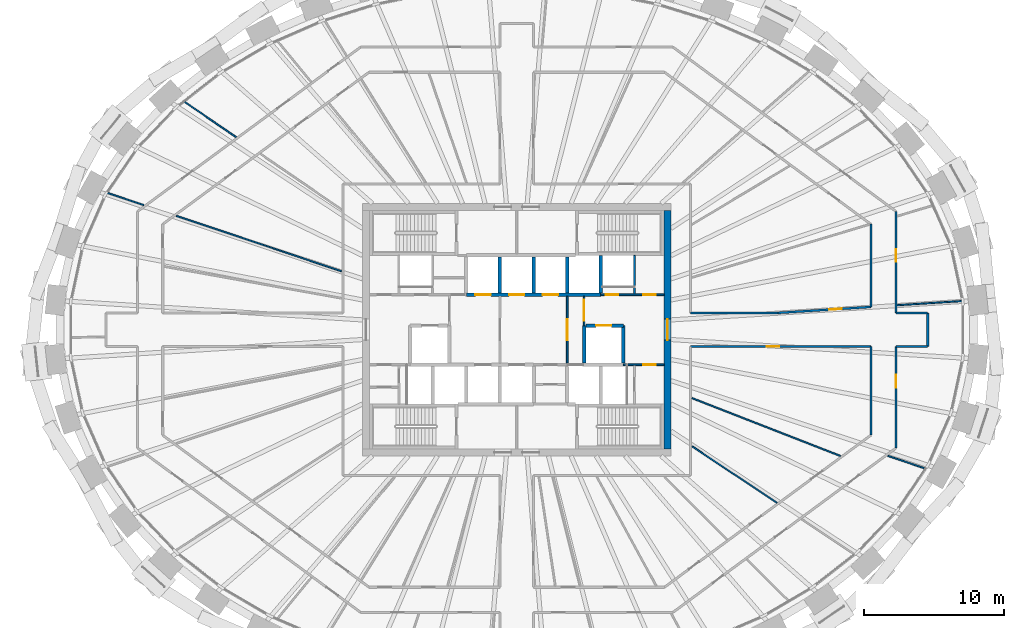
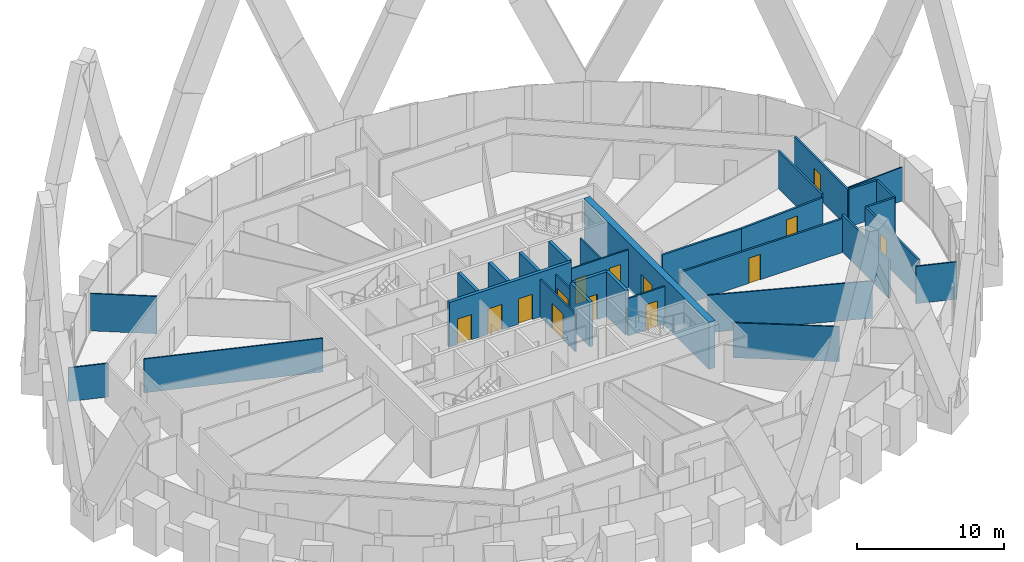
# One storey, part 10 of 14: 31 walls, 14 doors, 14 openings.
"""IFC4 building model written with IfcOpenShell, lengths in metres."""

import ifcopenshell
import ifcopenshell.guid

model = None  # the IFC model being written
_history = None  # IfcOwnerHistory: only IFC2X3 demands one
_inside = {}  # id of a spatial element -> (the spatial element, [elements in it])
_under = {}  # id of a project, library or spatial element -> (it, [spatial elements below it])
_declared = {}  # id of a project -> (the project, [libraries it declares])
_typed = {}  # id of a type object -> (the type object, [elements of that type])
_made_of = {}  # id of a material, layer set ... -> (it, [elements and type objects made of it])


def new_model(schema):
    """Start an empty IFC model of exactly this schema.

    Asked for "IFC4X3", IfcOpenShell would pick the latest addendum, in which some entities
    have other attributes; the version numbers below select the first issue.
    IFC2X3 requires an IfcOwnerHistory on every rooted entity: one is made here for all.
    """
    global model, _history
    if schema == "IFC4X3":
        model = ifcopenshell.file(schema_version=(4, 3, 0, 0))
    else:
        model = ifcopenshell.file(schema=schema)
    _inside.clear()
    _under.clear()
    _declared.clear()
    _typed.clear()
    _made_of.clear()
    _history = None
    if model.schema == "IFC2X3":
        org = make("IfcOrganization", Name="unknown")
        user = make(
            "IfcPersonAndOrganization",
            ThePerson=make("IfcPerson", FamilyName="unknown"),
            TheOrganization=org,
        )
        app = make(
            "IfcApplication",
            ApplicationDeveloper=org,
            Version="unknown",
            ApplicationFullName="unknown",
            ApplicationIdentifier="unknown",
        )
        _history = make(
            "IfcOwnerHistory",
            OwningUser=user,
            OwningApplication=app,
            ChangeAction="ADDED",
            CreationDate=0,
        )
    return model


def make(cls, **values):
    """One entity of the class cls with the attributes given. An attribute that is None is left unset."""
    return model.create_entity(
        cls, **{name: value for name, value in values.items() if value is not None}
    )


def rooted(cls, **values):
    """An entity with a GlobalId (a new one), such as an element, a storey or a relation."""
    return make(cls, GlobalId=ifcopenshell.guid.new(), OwnerHistory=_history, **values)


def si_unit(unit_type, name, prefix=None):
    """IfcSIUnit, for example si_unit("LENGTHUNIT", "METRE", prefix="MILLI")."""
    return make("IfcSIUnit", UnitType=unit_type, Prefix=prefix, Name=name)


def assignment(units):
    """IfcUnitAssignment: the units of a project."""
    return None if units is None else make("IfcUnitAssignment", Units=units)


def point(xyz):
    """IfcCartesianPoint."""
    return None if xyz is None else make("IfcCartesianPoint", Coordinates=xyz)


def direction(xyz):
    """IfcDirection."""
    return None if xyz is None else make("IfcDirection", DirectionRatios=xyz)


def frame(location, z_axis=None, x_axis=None):
    """IfcAxis2Placement3D, a coordinate frame: its origin and axes. An axis left out is left unset."""
    return make(
        "IfcAxis2Placement3D",
        Location=point(location),
        Axis=direction(z_axis),
        RefDirection=direction(x_axis),
    )


def frame_2d(location, x_axis=None):
    """IfcAxis2Placement2D, a coordinate frame in the plane: its origin and x axis."""
    return make(
        "IfcAxis2Placement2D", Location=point(location), RefDirection=direction(x_axis)
    )


def origin():
    """The frame at (0, 0, 0) with its axes left unset."""
    return frame((0.0, 0.0, 0.0))


def place(relative_to, where):
    """IfcLocalPlacement: puts the frame where relative to a parent placement (None: the world)."""
    return make(
        "IfcLocalPlacement", PlacementRelTo=relative_to, RelativePlacement=where
    )


def context(
    kind, dimensions, precision=None, world=None, true_north=None, identifier=None
):
    """IfcGeometricRepresentationContext, for example the 3D "Model" context."""
    return make(
        "IfcGeometricRepresentationContext",
        ContextIdentifier=identifier,
        ContextType=kind,
        CoordinateSpaceDimension=dimensions,
        Precision=precision,
        WorldCoordinateSystem=world,
        TrueNorth=true_north,
    )


def subcontext(parent, identifier, kind, view, scale=None):
    """IfcGeometricRepresentationSubContext, for example "Body" below "Model"."""
    return make(
        "IfcGeometricRepresentationSubContext",
        ContextIdentifier=identifier,
        ContextType=kind,
        ParentContext=parent,
        TargetScale=scale,
        TargetView=view,
    )


def project(units=None, contexts=None):
    """IfcProject with its units and contexts."""
    return rooted(
        "IfcProject",
        Name="project",
        RepresentationContexts=contexts,
        UnitsInContext=assignment(units),
    )


def spatial(cls, under=None, at=None, **own):
    """A site, building, storey or space (cls), placed at a placement, below another one or the project."""
    s = rooted(cls, ObjectPlacement=at, **own)
    if under is not None:
        _under.setdefault(under.id(), (under, []))[1].append(s)
    return s


def profile(cls, at=None, kind="AREA", **sizes):
    """A parametric profile (cls). Its sizes go by their IFC names, for example OverallWidth=200.0."""
    return make(cls, ProfileType=kind, Position=at, **sizes)


def rectangle(**sizes):
    """IfcRectangleProfileDef."""
    return profile("IfcRectangleProfileDef", **sizes)


def extrude(swept, where, along, depth):
    """IfcExtrudedAreaSolid: the profile swept, set in the frame where, extruded along a direction by depth."""
    return make(
        "IfcExtrudedAreaSolid",
        SweptArea=swept,
        Position=where,
        ExtrudedDirection=direction(along),
        Depth=depth,
    )


def shape(context_of_items, identifier, shape_type, items):
    """IfcShapeRepresentation: the items that make up one representation, for example the "Body"."""
    return make(
        "IfcShapeRepresentation",
        ContextOfItems=context_of_items,
        RepresentationIdentifier=identifier,
        RepresentationType=shape_type,
        Items=items,
    )


def source(mapping_origin, context_of_items, identifier, shape_type, items):
    """IfcRepresentationMap: a shape defined once, which mapped items show again and again."""
    return make(
        "IfcRepresentationMap",
        MappingOrigin=mapping_origin,
        MappedRepresentation=shape(context_of_items, identifier, shape_type, items),
    )


def transform(
    local_origin,
    x_axis=None,
    y_axis=None,
    z_axis=None,
    scale=None,
    scale2=None,
    scale3=None,
    uniform=True,
):
    """IfcCartesianTransformationOperator3D, or its non-uniform kind. x_axis, y_axis, z_axis: its Axis1, 2, 3."""
    if uniform:
        return make(
            "IfcCartesianTransformationOperator3D",
            Axis1=direction(x_axis),
            Axis2=direction(y_axis),
            LocalOrigin=point(local_origin),
            Scale=scale,
            Axis3=direction(z_axis),
        )
    return make(
        "IfcCartesianTransformationOperator3DnonUniform",
        Axis1=direction(x_axis),
        Axis2=direction(y_axis),
        LocalOrigin=point(local_origin),
        Scale=scale,
        Axis3=direction(z_axis),
        Scale2=scale2,
        Scale3=scale3,
    )


def mapped(mapping_source, mapping_target):
    """IfcMappedItem: shows the shape of a source again, moved by a transform."""
    return make(
        "IfcMappedItem", MappingSource=mapping_source, MappingTarget=mapping_target
    )


def material(Name=None, Category=None):
    """IfcMaterial."""
    return make("IfcMaterial", Name=Name, Category=Category)


def layer(
    of_material, thickness, ventilated=None, Name=None, Category=None, Priority=None
):
    """IfcMaterialLayer: one layer of a wall or slab, of a material (None: an air gap)."""
    return make(
        "IfcMaterialLayer",
        Material=of_material,
        LayerThickness=thickness,
        IsVentilated=ventilated,
        Name=Name,
        Category=Category,
        Priority=Priority,
    )


def layer_set(layers, Name=None):
    """IfcMaterialLayerSet."""
    return make("IfcMaterialLayerSet", MaterialLayers=layers, LayerSetName=Name)


def made_of(thing, what):
    """Note that an element or type object is made of a material, layer set ...; save() writes the relation."""
    if what is not None:
        _made_of.setdefault(what.id(), (what, []))[1].append(thing)
    return thing


def type_object(cls, material=None, **own):
    """A type object (cls), such as IfcWallType, which elements share."""
    return made_of(rooted(cls, **own), material)


def element(
    cls,
    number,
    at=None,
    inside=None,
    cuts=None,
    type_object=None,
    material=None,
    context=None,
    identifier="Body",
    shape_type=None,
    held_by="IfcProductDefinitionShape",
    body=None,
    shapes=None,
    **own,
):
    """One element of the class cls, such as IfcWall. Its Tag is "e" and its number.

    at: its placement. inside: the storey or other place that contains it. cuts: it is an
    opening in that element (IfcRelVoidsElement). A single representation is given by context,
    identifier, shape_type and body (its items); several are given by shapes. held_by: the class
    of the entity that holds the representations. save() writes the other relations.
    """
    e = rooted(cls, Tag="e%d" % number, ObjectPlacement=at, **own)
    if body is not None:
        shapes = [shape(context, identifier, shape_type, body)]
    if shapes is not None:
        e.Representation = make(held_by, Representations=shapes)
    if inside is not None:
        _inside.setdefault(inside.id(), (inside, []))[1].append(e)
    if cuts is not None:
        rooted(
            "IfcRelVoidsElement", RelatingBuildingElement=cuts, RelatedOpeningElement=e
        )
    if type_object is not None:
        _typed.setdefault(type_object.id(), (type_object, []))[1].append(e)
    return made_of(e, material)


def fill(opening, filler):
    """IfcRelFillsElement: the door or window that sits in an opening."""
    return rooted(
        "IfcRelFillsElement",
        RelatingOpeningElement=opening,
        RelatedBuildingElement=filler,
    )


def aggregate(whole, parts):
    """IfcRelAggregates: a whole, such as a stair, and the parts it consists of."""
    return rooted("IfcRelAggregates", RelatingObject=whole, RelatedObjects=parts)


def save(model, path):
    """Write the relations noted so far, then the file.

    IfcRelAggregates (storeys below a building ...), IfcRelContainedInSpatialStructure (elements
    in a storey), IfcRelDefinesByType, IfcRelAssociatesMaterial and IfcRelDeclares: one each for
    every whole, place, type object, material and project.
    """
    for whole, parts in _under.values():
        aggregate(whole, parts)
    for where, things in _inside.values():
        rooted(
            "IfcRelContainedInSpatialStructure",
            RelatedElements=things,
            RelatingStructure=where,
        )
    for kind, things in _typed.values():
        rooted("IfcRelDefinesByType", RelatedObjects=things, RelatingType=kind)
    for what, things in _made_of.values():
        rooted("IfcRelAssociatesMaterial", RelatedObjects=things, RelatingMaterial=what)
    for by, libraries in _declared.values():
        rooted("IfcRelDeclares", RelatingContext=by, RelatedDefinitions=libraries)
    model.write(path)


model = new_model("IFC4")

# Units and contexts
model_context = context("Model", 3, precision=1e-05, world=origin(), true_north=direction((0.0, 1.0)))
body_context = subcontext(model_context, "Body", "Model", "MODEL_VIEW")
ifc_project = project(units=[si_unit("LENGTHUNIT", "METRE"), si_unit("AREAUNIT", "SQUARE_METRE"), si_unit("VOLUMEUNIT", "CUBIC_METRE"), si_unit("PLANEANGLEUNIT", "RADIAN"), si_unit("MASSUNIT", "GRAM", prefix="KILO")], contexts=[model_context])

# Site, building, storey
site_placement = place(None, origin())
site = spatial("IfcSite", under=ifc_project, at=site_placement, CompositionType="ELEMENT")
building_placement = place(site_placement, origin())
building = spatial("IfcBuilding", under=site, at=building_placement, Name="Embergate Tower", CompositionType="ELEMENT")
storey_placement = place(building_placement, frame((0.0, 0.0, 257.800048828125)))
storey = spatial("IfcBuildingStorey", under=building, at=storey_placement, Name="L59", CompositionType="ELEMENT", Elevation=257.800048828125)

# Wall, opening, door
ifc_material_1 = material(Name="Concrete C50", Category="concrete")
ifc_layer_1 = layer(ifc_material_1, 0.5)
ifc_layer_set_1 = layer_set([ifc_layer_1], Name="Concrete C50")
wall_type_1 = type_object("IfcWallType", Name="Core outer wall C50 500", PredefinedType="SHEAR", material=ifc_layer_set_1)
shared_shape_1 = source(origin(), body_context, "Body", "SweptSolid", [
    extrude(rectangle(XDim=17.0, YDim=0.5, at=frame_2d((8.5, 0.0))), origin(), (0.0, 0.0, 1.0), 3.89990234375),
])
wall_1_placement = place(storey_placement, frame((10.75, -8.5, -0.199951171875), z_axis=(0.0, 0.0, 1.0), x_axis=(0.0, 1.0, 0.0)))
wall_1 = element("IfcWall", 1, at=wall_1_placement, inside=storey, type_object=wall_type_1, Name="CW-L59-E", PredefinedType="SHEAR", context=body_context, shape_type="MappedRepresentation", body=[
    mapped(shared_shape_1, transform((0.0, 0.0, 0.0))),
])
shared_shape_2 = source(origin(), body_context, "Body", "SweptSolid", [
    extrude(rectangle(XDim=1.5, YDim=2.10009765625, at=frame_2d((0.75, 1.050048828125))), frame((0.0, 0.260009765625, 0.0), z_axis=(0.0, -1.0, 0.0), x_axis=(1.0, 0.0, 0.0)), (0.0, 0.0, 1.0), 0.52001953125),
])
opening_1_placement = place(wall_1_placement, frame((7.75, 0.0, 0.199951171875)))
opening_1 = element("IfcOpeningElement", 2, at=opening_1_placement, cuts=wall_1, Name="Opening IF-3", PredefinedType="OPENING", context=body_context, shape_type="MappedRepresentation", body=[
    mapped(shared_shape_2, transform((0.0, 0.0, 0.0))),
])
ifc_material_2 = material(Name="Lobby fire door pair 1500")
door_type_1 = type_object("IfcDoorType", Name="Lobby fire door pair 1500", OperationType="DOUBLE_DOOR_SINGLE_SWING", PredefinedType="DOOR", material=ifc_material_2)
shared_shape_3 = source(origin(), body_context, "Body", "SweptSolid", [
    extrude(rectangle(XDim=1.5, YDim=2.10009765625, at=frame_2d((0.75, 1.050048828125))), frame((0.0, 0.02490234375, 0.0), z_axis=(0.0, -1.0, 0.0), x_axis=(1.0, 0.0, 0.0)), (0.0, 0.0, 1.0), 0.050048828125),
])
door_1_placement = place(opening_1_placement, origin())
door_1 = element("IfcDoor", 3, at=door_1_placement, inside=storey, type_object=door_type_1, Name="IF-3 door", OperationType="DOUBLE_DOOR_SINGLE_SWING", OverallHeight=2.10009765625, OverallWidth=1.5, PredefinedType="DOOR", context=body_context, shape_type="MappedRepresentation", body=[
    mapped(shared_shape_3, transform((0.0, 0.0, 0.0))),
])
fill(opening_1, door_1)

# Walls
ifc_layer_2 = layer(ifc_material_1, 0.25)
ifc_layer_set_2 = layer_set([ifc_layer_2], Name="Concrete C50")
wall_type_2 = type_object("IfcWallType", Name="Hoistway wall reinforced concrete 250", PredefinedType="SHEAR", material=ifc_layer_set_2)
shared_shape_4 = source(origin(), body_context, "Body", "SweptSolid", [
    extrude(rectangle(XDim=2.675048828125, YDim=0.25, at=frame_2d((1.33740234375, 0.0))), origin(), (0.0, 0.0, 1.0), 3.699951171875),
])
for number, where, z_axis, x_axis, name in (
    (4, (6.0, 2.625, 0.0), (0.0, 0.0, 1.0), (0.0, 1.0, 0.0), "HW-1 wall"),
    (5, (4.800048828125, -2.375, 0.0), (0.0, 0.0, 1.0), (0.0, 1.0, 0.0), "HW-1 wall"),
):
    element("IfcWall", number, at=place(storey_placement, frame(where, z_axis=z_axis, x_axis=x_axis)), inside=storey, type_object=wall_type_2, Name=name, PredefinedType="SHEAR", context=body_context, shape_type="MappedRepresentation", body=[
        mapped(shared_shape_4, transform((0.0, 0.0, 0.0))),
    ])

# Wall, opening, door
wall_2_placement = place(storey_placement, frame((7.60009765625, 0.300048828125, 0.0), z_axis=(0.0, 0.0, 1.0), x_axis=(-1.0, 0.0, 0.0)))
wall_2 = element("IfcWall", 6, at=wall_2_placement, inside=storey, type_object=wall_type_2, Name="HW-1 wall", PredefinedType="SHEAR", context=body_context, shape_type="MappedRepresentation", body=[
    mapped(shared_shape_4, transform((0.0, 0.0, 0.0))),
])
shared_shape_5 = source(origin(), body_context, "Body", "SweptSolid", [
    extrude(rectangle(XDim=1.10009765625, YDim=2.10009765625, at=frame_2d((0.550048828125, 1.050048828125))), frame((0.0, 0.135009765625, 0.0), z_axis=(0.0, -1.0, 0.0), x_axis=(1.0, 0.0, 0.0)), (0.0, 0.0, 1.0), 0.27001953125),
])
opening_2_placement = place(wall_2_placement, frame((0.85009765625, 0.0, 0.0)))
opening_2 = element("IfcOpeningElement", 7, at=opening_2_placement, cuts=wall_2, Name="Opening LD", PredefinedType="OPENING", context=body_context, shape_type="MappedRepresentation", body=[
    mapped(shared_shape_5, transform((0.0, 0.0, 0.0))),
])
ifc_material_3 = material(Name="Landing door sliding 1100")
door_type_2 = type_object("IfcDoorType", Name="Landing door sliding 1100", OperationType="SLIDING_TO_LEFT", PredefinedType="DOOR", material=ifc_material_3)
shared_shape_6 = source(origin(), body_context, "Body", "SweptSolid", [
    extrude(rectangle(XDim=1.10009765625, YDim=2.10009765625, at=frame_2d((0.550048828125, 1.050048828125))), frame((0.0, 0.02490234375, 0.0), z_axis=(0.0, -1.0, 0.0), x_axis=(1.0, 0.0, 0.0)), (0.0, 0.0, 1.0), 0.050048828125),
])
door_2_placement = place(opening_2_placement, origin())
door_2 = element("IfcDoor", 8, at=door_2_placement, inside=storey, type_object=door_type_2, Name="LD door", OperationType="SLIDING_TO_LEFT", OverallHeight=2.10009765625, OverallWidth=1.10009765625, PredefinedType="DOOR", context=body_context, shape_type="MappedRepresentation", body=[
    mapped(shared_shape_6, transform((0.0, 0.0, 0.0))),
])
fill(opening_2, door_2)

# Walls
wall_3_placement = place(storey_placement, frame((7.60009765625, -2.375, 0.0), z_axis=(0.0, 0.0, 1.0), x_axis=(0.0, 1.0, 0.0)))
element("IfcWall", 9, at=wall_3_placement, inside=storey, type_object=wall_type_2, Name="HW-1 wall", PredefinedType="SHEAR", context=body_context, shape_type="MappedRepresentation", body=[
    mapped(shared_shape_4, transform((0.0, 0.0, 0.0))),
])
shared_shape_7 = source(origin(), body_context, "Body", "SweptSolid", [
    extrude(rectangle(XDim=2.550048828125, YDim=0.25, at=frame_2d((1.27490234375, 0.0))), origin(), (0.0, 0.0, 1.0), 3.699951171875),
])
for number, where, z_axis, x_axis, name in (
    (10, (-1.199951171875, 2.625, 0.0), (0.0, 0.0, 1.0), (0.0, 1.0, 0.0), "HW-1 wall"),
    (11, (1.199951171875, 2.625, 0.0), (0.0, 0.0, 1.0), (0.0, 1.0, 0.0), "HW-1 wall"),
    (12, (3.60009765625, 2.625, 0.0), (0.0, 0.0, 1.0), (0.0, 1.0, 0.0), "HW-1 wall"),
):
    element("IfcWall", number, at=place(storey_placement, frame(where, z_axis=z_axis, x_axis=x_axis)), inside=storey, type_object=wall_type_2, Name=name, PredefinedType="SHEAR", context=body_context, shape_type="MappedRepresentation", body=[
        mapped(shared_shape_7, transform((0.0, 0.0, 0.0))),
    ])
ifc_material_4 = material(Name="Core partition blockwork 120")
ifc_layer_3 = layer(ifc_material_4, 0.1201171875)
ifc_layer_set_3 = layer_set([ifc_layer_3], Name="Core partition blockwork 120")
wall_type_3 = type_object("IfcWallType", Name="Core partition blockwork 120", PredefinedType="PARTITIONING", material=ifc_layer_set_3)
shared_shape_8 = source(origin(), body_context, "Body", "SweptSolid", [
    extrude(rectangle(XDim=2.739990234375, YDim=0.1201171875, at=frame_2d((1.3701171875, 0.0))), origin(), (0.0, 0.0, 1.0), 3.099853515625),
])
wall_4_placement = place(storey_placement, frame((8.39990234375, 2.56005859375, 0.0), z_axis=(0.0, 0.0, 1.0), x_axis=(0.0, 1.0, 0.0)))
element("IfcWall", 13, at=wall_4_placement, inside=storey, type_object=wall_type_3, Name="IP-3 wall", PredefinedType="PARTITIONING", context=body_context, shape_type="MappedRepresentation", body=[
    mapped(shared_shape_8, transform((0.0, 0.0, 0.0))),
])

# Wall, opening, door
shared_shape_9 = source(origin(), body_context, "Body", "SweptSolid", [
    extrude(rectangle(XDim=4.75, YDim=0.1201171875, at=frame_2d((2.375, 0.0))), origin(), (0.0, 0.0, 1.0), 3.099853515625),
])
wall_5_placement = place(storey_placement, frame((3.60009765625, -2.375, 0.0), z_axis=(0.0, 0.0, 1.0), x_axis=(0.0, 1.0, 0.0)))
wall_5 = element("IfcWall", 14, at=wall_5_placement, inside=storey, type_object=wall_type_3, Name="IP-3 wall", PredefinedType="PARTITIONING", context=body_context, shape_type="MappedRepresentation", body=[
    mapped(shared_shape_9, transform((0.0, 0.0, 0.0))),
])
shared_shape_10 = source(origin(), body_context, "Body", "SweptSolid", [
    extrude(rectangle(XDim=1.5, YDim=2.10009765625, at=frame_2d((0.75, 1.050048828125))), frame((0.0, 0.070068359375, 0.0), z_axis=(0.0, -1.0, 0.0), x_axis=(1.0, 0.0, 0.0)), (0.0, 0.0, 1.0), 0.14013671875),
])
opening_3_placement = place(wall_5_placement, frame((1.625, 0.0, 0.0)))
opening_3 = element("IfcOpeningElement", 15, at=opening_3_placement, cuts=wall_5, Name="Opening IF-3", PredefinedType="OPENING", context=body_context, shape_type="MappedRepresentation", body=[
    mapped(shared_shape_10, transform((0.0, 0.0, 0.0))),
])
door_3_placement = place(opening_3_placement, origin())
door_3 = element("IfcDoor", 16, at=door_3_placement, inside=storey, type_object=door_type_1, Name="IF-3 door", OperationType="DOUBLE_DOOR_SINGLE_SWING", OverallHeight=2.10009765625, OverallWidth=1.5, PredefinedType="DOOR", context=body_context, shape_type="MappedRepresentation", body=[
    mapped(shared_shape_3, transform((0.0, 0.0, 0.0))),
])
fill(opening_3, door_3)

shared_shape_11 = source(origin(), body_context, "Body", "SweptSolid", [
    extrude(rectangle(XDim=2.074951171875, YDim=0.1201171875, at=frame_2d((1.03759765625, 0.0))), origin(), (0.0, 0.0, 1.0), 3.099853515625),
])
wall_6_placement = place(storey_placement, frame((4.800048828125, 0.300048828125, 0.0), z_axis=(0.0, 0.0, 1.0), x_axis=(0.0, 1.0, 0.0)))
wall_6 = element("IfcWall", 17, at=wall_6_placement, inside=storey, type_object=wall_type_3, Name="IP-3 wall", PredefinedType="PARTITIONING", context=body_context, shape_type="MappedRepresentation", body=[
    mapped(shared_shape_11, transform((0.0, 0.0, 0.0))),
])
opening_4_placement = place(wall_6_placement, frame((0.35009765625, 0.0, 0.0)))
opening_4 = element("IfcOpeningElement", 18, at=opening_4_placement, cuts=wall_6, Name="Opening IF-3", PredefinedType="OPENING", context=body_context, shape_type="MappedRepresentation", body=[
    mapped(shared_shape_10, transform((0.0, 0.0, 0.0))),
])
door_4_placement = place(opening_4_placement, origin())
door_4 = element("IfcDoor", 19, at=door_4_placement, inside=storey, type_object=door_type_1, Name="IF-3 door", OperationType="DOUBLE_DOOR_SINGLE_SWING", OverallHeight=2.10009765625, OverallWidth=1.5, PredefinedType="DOOR", context=body_context, shape_type="MappedRepresentation", body=[
    mapped(shared_shape_3, transform((0.0, 0.0, 0.0))),
])
fill(opening_4, door_4)

# Wall
ifc_material_5 = material(Name="Corridor wall dry-lined 150")
ifc_layer_4 = layer(ifc_material_5, 0.14990234375)
ifc_layer_set_4 = layer_set([ifc_layer_4], Name="Corridor wall dry-lined 150")
wall_type_4 = type_object("IfcWallType", Name="Corridor wall dry-lined 150", PredefinedType="PARTITIONING", material=ifc_layer_set_4)
shared_shape_12 = source(origin(), body_context, "Body", "SweptSolid", [
    extrude(rectangle(XDim=2.39990234375, YDim=0.14990234375, at=frame_2d((1.199951171875, 0.0))), origin(), (0.0, 0.0, 1.0), 3.099853515625),
])
wall_7_placement = place(storey_placement, frame((29.300048828125, -1.199951171875, 0.0), z_axis=(0.0, 0.0, 1.0), x_axis=(0.0, 1.0, 0.0)))
element("IfcWall", 20, at=wall_7_placement, inside=storey, type_object=wall_type_4, Name="IP-2 wall", PredefinedType="PARTITIONING", context=body_context, shape_type="MappedRepresentation", body=[
    mapped(shared_shape_12, transform((0.0, 0.0, 0.0))),
])

# Wall, openings, doors
shared_shape_13 = source(origin(), body_context, "Body", "SweptSolid", [
    extrude(rectangle(XDim=4.5, YDim=0.1201171875, at=frame_2d((2.25, 0.0))), origin(), (0.0, 0.0, 1.0), 3.099853515625),
])
wall_8_placement = place(storey_placement, frame((6.0, 2.5, 0.0), z_axis=(0.0, 0.0, 1.0), x_axis=(1.0, 0.0, 0.0)))
wall_8 = element("IfcWall", 21, at=wall_8_placement, inside=storey, type_object=wall_type_3, Name="IP-3 wall", PredefinedType="PARTITIONING", context=body_context, shape_type="MappedRepresentation", body=[
    mapped(shared_shape_13, transform((0.0, 0.0, 0.0))),
])
shared_shape_14 = source(origin(), body_context, "Body", "SweptSolid", [
    extrude(rectangle(XDim=0.89990234375, YDim=2.10009765625, at=frame_2d((0.449951171875, 1.050048828125))), frame((0.0, 0.070068359375, 0.0), z_axis=(0.0, -1.0, 0.0), x_axis=(1.0, 0.0, 0.0)), (0.0, 0.0, 1.0), 0.14013671875),
])
opening_5_placement = place(wall_8_placement, frame((0.35009765625, 0.0, 0.0)))
opening_5 = element("IfcOpeningElement", 22, at=opening_5_placement, cuts=wall_8, Name="Opening ID-1", PredefinedType="OPENING", context=body_context, shape_type="MappedRepresentation", body=[
    mapped(shared_shape_14, transform((0.0, 0.0, 0.0))),
])
opening_6_placement = place(wall_8_placement, frame((3.0, 0.0, 0.0)))
opening_6 = element("IfcOpeningElement", 23, at=opening_6_placement, cuts=wall_8, Name="Opening ID-1", PredefinedType="OPENING", context=body_context, shape_type="MappedRepresentation", body=[
    mapped(shared_shape_14, transform((0.0, 0.0, 0.0))),
])
ifc_material_6 = material(Name="Interior door 900")
door_type_3 = type_object("IfcDoorType", Name="Interior door 900", OperationType="SINGLE_SWING_LEFT", PredefinedType="DOOR", material=ifc_material_6)
shared_shape_15 = source(origin(), body_context, "Body", "SweptSolid", [
    extrude(rectangle(XDim=0.89990234375, YDim=2.10009765625, at=frame_2d((0.449951171875, 1.050048828125))), frame((0.0, 0.02490234375, 0.0), z_axis=(0.0, -1.0, 0.0), x_axis=(1.0, 0.0, 0.0)), (0.0, 0.0, 1.0), 0.050048828125),
])
door_5_placement = place(opening_5_placement, origin())
door_5 = element("IfcDoor", 24, at=door_5_placement, inside=storey, type_object=door_type_3, Name="ID-1 door", OperationType="SINGLE_SWING_RIGHT", OverallHeight=2.10009765625, OverallWidth=0.89990234375, PredefinedType="DOOR", context=body_context, shape_type="MappedRepresentation", body=[
    mapped(shared_shape_15, transform((0.0, 0.0, 0.0))),
])
fill(opening_5, door_5)
door_6_placement = place(opening_6_placement, origin())
door_6 = element("IfcDoor", 25, at=door_6_placement, inside=storey, type_object=door_type_3, Name="ID-1 door", OperationType="SINGLE_SWING_RIGHT", OverallHeight=2.10009765625, OverallWidth=0.89990234375, PredefinedType="DOOR", context=body_context, shape_type="MappedRepresentation", body=[
    mapped(shared_shape_15, transform((0.0, 0.0, 0.0))),
])
fill(opening_6, door_6)

# Wall, opening, door
shared_shape_16 = source(origin(), body_context, "Body", "SweptSolid", [
    extrude(rectangle(XDim=2.89990234375, YDim=0.1201171875, at=frame_2d((1.449951171875, 0.0))), origin(), (0.0, 0.0, 1.0), 3.099853515625),
])
wall_9_placement = place(storey_placement, frame((10.5, -2.5, 0.0), z_axis=(0.0, 0.0, 1.0), x_axis=(-1.0, 0.0, 0.0)))
wall_9 = element("IfcWall", 26, at=wall_9_placement, inside=storey, type_object=wall_type_3, Name="IP-3 wall", PredefinedType="PARTITIONING", context=body_context, shape_type="MappedRepresentation", body=[
    mapped(shared_shape_16, transform((0.0, 0.0, 0.0))),
])
opening_7_placement = place(wall_9_placement, frame((0.60009765625, 0.0, 0.0)))
opening_7 = element("IfcOpeningElement", 27, at=opening_7_placement, cuts=wall_9, Name="Opening ID-1", PredefinedType="OPENING", context=body_context, shape_type="MappedRepresentation", body=[
    mapped(shared_shape_14, transform((0.0, 0.0, 0.0))),
])
door_7_placement = place(opening_7_placement, origin())
door_7 = element("IfcDoor", 28, at=door_7_placement, inside=storey, type_object=door_type_3, Name="ID-1 door", OperationType="SINGLE_SWING_LEFT", OverallHeight=2.10009765625, OverallWidth=0.89990234375, PredefinedType="DOOR", context=body_context, shape_type="MappedRepresentation", body=[
    mapped(shared_shape_15, transform((0.0, 0.0, 0.0))),
])
fill(opening_7, door_7)

shared_shape_17 = source(origin(), body_context, "Body", "SweptSolid", [
    extrude(rectangle(XDim=7.23193359375, YDim=0.14990234375, at=frame_2d((3.615966796875, 0.0))), origin(), (0.0, 0.0, 1.0), 3.099853515625),
])
wall_10_placement = place(storey_placement, frame((27.0458984375, -8.431884765625, 0.0), z_axis=(0.0, 0.0, 1.0), x_axis=(0.0, 1.0, 0.0)))
wall_10 = element("IfcWall", 29, at=wall_10_placement, inside=storey, type_object=wall_type_4, Name="IP-2 wall", PredefinedType="PARTITIONING", context=body_context, shape_type="MappedRepresentation", body=[
    mapped(shared_shape_17, transform((0.0, 0.0, 0.0))),
])
shared_shape_18 = source(origin(), body_context, "Body", "SweptSolid", [
    extrude(rectangle(XDim=0.89990234375, YDim=2.10009765625, at=frame_2d((0.449951171875, 1.050048828125))), frame((0.0, 0.0849609375, 0.0), z_axis=(0.0, -1.0, 0.0), x_axis=(1.0, 0.0, 0.0)), (0.0, 0.0, 1.0), 0.169921875),
])
opening_8_placement = place(wall_10_placement, frame((4.312255859375, 0.0, 0.0)))
opening_8 = element("IfcOpeningElement", 30, at=opening_8_placement, cuts=wall_10, Name="Opening IF-1c", PredefinedType="OPENING", context=body_context, shape_type="MappedRepresentation", body=[
    mapped(shared_shape_18, transform((0.0, 0.0, 0.0))),
])
ifc_material_7 = material(Name="Escape fire door 900")
door_type_4 = type_object("IfcDoorType", Name="Escape fire door 900", OperationType="SINGLE_SWING_LEFT", PredefinedType="DOOR", material=ifc_material_7)
door_8_placement = place(opening_8_placement, origin())
door_8 = element("IfcDoor", 31, at=door_8_placement, inside=storey, type_object=door_type_4, Name="IF-1 door", OperationType="SINGLE_SWING_LEFT", OverallHeight=2.10009765625, OverallWidth=0.89990234375, PredefinedType="DOOR", context=body_context, shape_type="MappedRepresentation", body=[
    mapped(shared_shape_15, transform((0.0, 0.0, 0.0))),
])
fill(opening_8, door_8)

wall_11_placement = place(storey_placement, frame((27.0458984375, 1.199951171875, 0.0), z_axis=(0.0, 0.0, 1.0), x_axis=(0.0, 1.0, 0.0)))
wall_11 = element("IfcWall", 32, at=wall_11_placement, inside=storey, type_object=wall_type_4, Name="IP-2 wall", PredefinedType="PARTITIONING", context=body_context, shape_type="MappedRepresentation", body=[
    mapped(shared_shape_17, transform((0.0, 0.0, 0.0))),
])
opening_9_placement = place(wall_11_placement, frame((3.64501953125, 0.0, 0.0)))
opening_9 = element("IfcOpeningElement", 33, at=opening_9_placement, cuts=wall_11, Name="Opening IF-1c", PredefinedType="OPENING", context=body_context, shape_type="MappedRepresentation", body=[
    mapped(shared_shape_18, transform((0.0, 0.0, 0.0))),
])
door_9_placement = place(opening_9_placement, origin())
door_9 = element("IfcDoor", 34, at=door_9_placement, inside=storey, type_object=door_type_4, Name="IF-1 door", OperationType="SINGLE_SWING_RIGHT", OverallHeight=2.10009765625, OverallWidth=0.89990234375, PredefinedType="DOOR", context=body_context, shape_type="MappedRepresentation", body=[
    mapped(shared_shape_15, transform((0.0, 0.0, 0.0))),
])
fill(opening_9, door_9)

# Walls
shared_shape_19 = source(origin(), body_context, "Body", "SweptSolid", [
    extrude(rectangle(XDim=2.254150390625, YDim=0.14990234375, at=frame_2d((1.126953125, 0.0))), origin(), (0.0, 0.0, 1.0), 3.099853515625),
])
for number, where, z_axis, x_axis, name in (
    (35, (27.0458984375, -1.199951171875, 0.0), (0.0, 0.0, 1.0), (1.0, 0.0, 0.0), "IP-2 wall"),
    (36, (29.300048828125, 1.199951171875, 0.0), (0.0, 0.0, 1.0), (-1.0, 0.0, 0.0), "IP-2 wall"),
):
    element("IfcWall", number, at=place(storey_placement, frame(where, z_axis=z_axis, x_axis=x_axis)), inside=storey, type_object=wall_type_4, Name=name, PredefinedType="PARTITIONING", context=body_context, shape_type="MappedRepresentation", body=[
        mapped(shared_shape_19, transform((0.0, 0.0, 0.0))),
    ])
shared_shape_20 = source(origin(), body_context, "Body", "SweptSolid", [
    extrude(rectangle(XDim=6.322998046875, YDim=0.14990234375, at=frame_2d((3.16162109375, 0.0))), origin(), (0.0, 0.0, 1.0), 3.099853515625),
])
wall_12_placement = place(storey_placement, frame((25.24609375, -7.52294921875, 0.0), z_axis=(0.0, 0.0, 1.0), x_axis=(0.0, 1.0, 0.0)))
element("IfcWall", 37, at=wall_12_placement, inside=storey, type_object=wall_type_4, Name="IP-2 wall", PredefinedType="PARTITIONING", context=body_context, shape_type="MappedRepresentation", body=[
    mapped(shared_shape_20, transform((0.0, 0.0, 0.0))),
])

# Wall, opening, door
shared_shape_21 = source(origin(), body_context, "Body", "SweptSolid", [
    extrude(rectangle(XDim=12.84619140625, YDim=0.14990234375, at=frame_2d((6.423095703125, 0.0))), origin(), (0.0, 0.0, 1.0), 2.800048828125),
])
wall_13_placement = place(storey_placement, frame((25.24609375, -1.199951171875, 0.0), z_axis=(0.0, 0.0, 1.0), x_axis=(-1.0, 0.0, 0.0)))
wall_13 = element("IfcWall", 38, at=wall_13_placement, inside=storey, type_object=wall_type_4, Name="IP-2 wall", PredefinedType="PARTITIONING", context=body_context, shape_type="MappedRepresentation", body=[
    mapped(shared_shape_21, transform((0.0, 0.0, 0.0))),
])
opening_10_placement = place(wall_13_placement, frame((6.539794921875, 0.0, 0.0)))
opening_10 = element("IfcOpeningElement", 39, at=opening_10_placement, cuts=wall_13, Name="Opening IF-1c", PredefinedType="OPENING", context=body_context, shape_type="MappedRepresentation", body=[
    mapped(shared_shape_18, transform((0.0, 0.0, 0.0))),
])
door_10_placement = place(opening_10_placement, origin())
door_10 = element("IfcDoor", 40, at=door_10_placement, inside=storey, type_object=door_type_4, Name="IF-1 door", OperationType="SINGLE_SWING_RIGHT", OverallHeight=2.10009765625, OverallWidth=0.89990234375, PredefinedType="DOOR", context=body_context, shape_type="MappedRepresentation", body=[
    mapped(shared_shape_15, transform((0.0, 0.0, 0.0))),
])
fill(opening_10, door_10)

# Wall
shared_shape_22 = source(origin(), body_context, "Body", "SweptSolid", [
    extrude(rectangle(XDim=5.89697265625, YDim=0.14990234375, at=frame_2d((2.948486328125, 0.0))), origin(), (0.0, 0.0, 1.0), 3.099853515625),
])
wall_14_placement = place(storey_placement, frame((25.24609375, 7.52294921875, 0.0), z_axis=(0.0, 0.0, 1.0), x_axis=(0.0, -1.0, 0.0)))
element("IfcWall", 41, at=wall_14_placement, inside=storey, type_object=wall_type_4, Name="IP-2 wall", PredefinedType="PARTITIONING", context=body_context, shape_type="MappedRepresentation", body=[
    mapped(shared_shape_22, transform((0.0, 0.0, 0.0))),
])

# Wall, opening, door
shared_shape_23 = source(origin(), body_context, "Body", "SweptSolid", [
    extrude(rectangle(XDim=6.6328125, YDim=0.14990234375, at=frame_2d((3.31640625, 0.0))), origin(), (0.0, 0.0, 1.0), 2.800048828125),
])
wall_15_placement = place(storey_placement, frame((25.24609375, 1.6259765625, 0.0), z_axis=(0.0, 0.0, 1.0), x_axis=(-0.997935138173, -0.064229743881, 0.0)))
wall_15 = element("IfcWall", 42, at=wall_15_placement, inside=storey, type_object=wall_type_4, Name="IP-2 wall", PredefinedType="PARTITIONING", context=body_context, shape_type="MappedRepresentation", body=[
    mapped(shared_shape_23, transform((0.0, 0.0, 0.0))),
])
opening_11_placement = place(wall_15_placement, frame((2.075927734375, 0.0, 0.0)))
opening_11 = element("IfcOpeningElement", 43, at=opening_11_placement, cuts=wall_15, Name="Opening IF-1c", PredefinedType="OPENING", context=body_context, shape_type="MappedRepresentation", body=[
    mapped(shared_shape_18, transform((0.0, 0.0, 0.0))),
])
door_11_placement = place(opening_11_placement, origin())
door_11 = element("IfcDoor", 44, at=door_11_placement, inside=storey, type_object=door_type_4, Name="IF-1 door", OperationType="SINGLE_SWING_LEFT", OverallHeight=2.10009765625, OverallWidth=0.89990234375, PredefinedType="DOOR", context=body_context, shape_type="MappedRepresentation", body=[
    mapped(shared_shape_15, transform((0.0, 0.0, 0.0))),
])
fill(opening_11, door_11)

# Walls
shared_shape_24 = source(origin(), body_context, "Body", "SweptSolid", [
    extrude(rectangle(XDim=6.22705078125, YDim=0.14990234375, at=frame_2d((3.113525390625, 0.0))), origin(), (0.0, 0.0, 1.0), 2.800048828125),
])
wall_16_placement = place(storey_placement, frame((18.626953125, 1.199951171875, 0.0), z_axis=(0.0, 0.0, 1.0), x_axis=(-1.0, 0.0, 0.0)))
element("IfcWall", 45, at=wall_16_placement, inside=storey, type_object=wall_type_4, Name="IP-2 wall", PredefinedType="PARTITIONING", context=body_context, shape_type="MappedRepresentation", body=[
    mapped(shared_shape_24, transform((0.0, 0.0, 0.0))),
])
ifc_material_8 = material(Name="Partition dry-lined 100")
ifc_layer_5 = layer(ifc_material_8, 0.10009765625)
ifc_layer_set_5 = layer_set([ifc_layer_5], Name="Partition dry-lined 100")
wall_type_5 = type_object("IfcWallType", Name="Partition dry-lined 100", PredefinedType="PARTITIONING", material=ifc_layer_set_5)
shared_shape_25 = source(origin(), body_context, "Body", "SweptSolid", [
    extrude(rectangle(XDim=2.776123046875, YDim=0.10009765625, at=frame_2d((1.38818359375, 0.0))), origin(), (0.0, 0.0, 1.0), 2.800048828125),
])
wall_17_placement = place(storey_placement, frame((-26.59912109375, 8.889892578125, 0.0), z_axis=(0.0, 0.0, 1.0), x_axis=(-0.948410312692, 0.317045546852, 0.0)))
element("IfcWall", 46, at=wall_17_placement, inside=storey, type_object=wall_type_5, Name="IP-1 wall", PredefinedType="PARTITIONING", context=body_context, shape_type="MappedRepresentation", body=[
    mapped(shared_shape_25, transform((0.0, 0.0, 0.0))),
])
shared_shape_26 = source(origin(), body_context, "Body", "SweptSolid", [
    extrude(rectangle(XDim=12.42041015625, YDim=0.10009765625, at=frame_2d((6.210205078125, 0.0))), origin(), (0.0, 0.0, 1.0), 2.800048828125),
])
wall_18_placement = place(storey_placement, frame((-12.490966796875, 4.175048828125, 0.0), z_axis=(0.0, 0.0, 1.0), x_axis=(-0.948433368171, 0.316976570333, 0.0)))
element("IfcWall", 47, at=wall_18_placement, inside=storey, type_object=wall_type_5, Name="IP-1 wall", PredefinedType="PARTITIONING", context=body_context, shape_type="MappedRepresentation", body=[
    mapped(shared_shape_26, transform((0.0, 0.0, 0.0))),
])
shared_shape_27 = source(origin(), body_context, "Body", "SweptSolid", [
    extrude(rectangle(XDim=7.263916015625, YDim=0.10009765625, at=frame_2d((3.6318359375, 0.0))), origin(), (0.0, 0.0, 1.0), 2.89990234375),
])
wall_19_placement = place(storey_placement, frame((12.5029296875, -8.31689453125, 0.0), z_axis=(0.0, 0.0, 1.0), x_axis=(0.832613473912, -0.55385449629, 0.0)))
element("IfcWall", 48, at=wall_19_placement, inside=storey, type_object=wall_type_5, Name="IP-1 wall", PredefinedType="PARTITIONING", context=body_context, shape_type="MappedRepresentation", body=[
    mapped(shared_shape_27, transform((0.0, 0.0, 0.0))),
])
shared_shape_28 = source(origin(), body_context, "Body", "SweptSolid", [
    extrude(rectangle(XDim=2.842041015625, YDim=0.10009765625, at=frame_2d((1.4208984375, 0.0))), origin(), (0.0, 0.0, 1.0), 3.099853515625),
])
wall_20_placement = place(storey_placement, frame((26.4609375, -8.991943359375, 0.0), z_axis=(0.0, 0.0, 1.0), x_axis=(0.946872705017, -0.321608582744, 0.0)))
element("IfcWall", 49, at=wall_20_placement, inside=storey, type_object=wall_type_5, Name="IP-1 wall", PredefinedType="PARTITIONING", context=body_context, shape_type="MappedRepresentation", body=[
    mapped(shared_shape_28, transform((0.0, 0.0, 0.0))),
])
shared_shape_29 = source(origin(), body_context, "Body", "SweptSolid", [
    extrude(rectangle(XDim=4.674560546875, YDim=0.10009765625, at=frame_2d((2.33740234375, 0.0))), origin(), (0.0, 0.0, 1.0), 2.800048828125),
])
wall_21_placement = place(storey_placement, frame((31.785888671875, 2.048095703125, 0.0), z_axis=(0.0, 0.0, 1.0), x_axis=(-0.997924334649, -0.064397378166, 0.0)))
element("IfcWall", 50, at=wall_21_placement, inside=storey, type_object=wall_type_5, Name="IP-1 wall", PredefinedType="PARTITIONING", context=body_context, shape_type="MappedRepresentation", body=[
    mapped(shared_shape_29, transform((0.0, 0.0, 0.0))),
])
shared_shape_30 = source(origin(), body_context, "Body", "SweptSolid", [
    extrude(rectangle(XDim=11.349609375, YDim=0.10009765625, at=frame_2d((5.6748046875, 0.0))), origin(), (0.0, 0.0, 1.0), 3.099853515625),
])
wall_22_placement = place(storey_placement, frame((12.492919921875, -4.8759765625, 0.0), z_axis=(0.0, 0.0, 1.0), x_axis=(0.931579751697, -0.363537021813, 0.0)))
element("IfcWall", 51, at=wall_22_placement, inside=storey, type_object=wall_type_5, Name="IP-1 wall", PredefinedType="PARTITIONING", context=body_context, shape_type="MappedRepresentation", body=[
    mapped(shared_shape_30, transform((0.0, 0.0, 0.0))),
])
shared_shape_31 = source(origin(), body_context, "Body", "SweptSolid", [
    extrude(rectangle(XDim=4.545166015625, YDim=0.10009765625, at=frame_2d((2.2724609375, 0.0))), origin(), (0.0, 0.0, 1.0), 3.099853515625),
])
wall_23_placement = place(storey_placement, frame((-20.010009765625, 13.72802734375, 0.0), z_axis=(0.0, 0.0, 1.0), x_axis=(-0.824630774754, 0.56567135806, 0.0)))
element("IfcWall", 52, at=wall_23_placement, inside=storey, type_object=wall_type_5, Name="IP-1 wall", PredefinedType="PARTITIONING", context=body_context, shape_type="MappedRepresentation", body=[
    mapped(shared_shape_31, transform((0.0, 0.0, 0.0))),
])

# Wall, openings, doors
shared_shape_32 = source(origin(), body_context, "Body", "SweptSolid", [
    extrude(rectangle(XDim=9.60009765625, YDim=0.25, at=frame_2d((4.800048828125, 0.0))), origin(), (0.0, 0.0, 1.0), 3.699951171875),
])
wall_24_placement = place(storey_placement, frame((-3.60009765625, 2.5, 0.0), z_axis=(0.0, 0.0, 1.0), x_axis=(1.0, 0.0, 0.0)))
wall_24 = element("IfcWall", 53, at=wall_24_placement, inside=storey, type_object=wall_type_2, Name="HW-1 wall", PredefinedType="SHEAR", context=body_context, shape_type="MappedRepresentation", body=[
    mapped(shared_shape_32, transform((0.0, 0.0, 0.0))),
])
opening_12_placement = place(wall_24_placement, frame((0.64990234375, 0.0, 0.0)))
opening_12 = element("IfcOpeningElement", 54, at=opening_12_placement, cuts=wall_24, Name="Opening LD", PredefinedType="OPENING", context=body_context, shape_type="MappedRepresentation", body=[
    mapped(shared_shape_5, transform((0.0, 0.0, 0.0))),
])
opening_13_placement = place(wall_24_placement, frame((3.050048828125, 0.0, 0.0)))
opening_13 = element("IfcOpeningElement", 55, at=opening_13_placement, cuts=wall_24, Name="Opening LD", PredefinedType="OPENING", context=body_context, shape_type="MappedRepresentation", body=[
    mapped(shared_shape_5, transform((0.0, 0.0, 0.0))),
])
opening_14_placement = place(wall_24_placement, frame((5.449951171875, 0.0, 0.0)))
opening_14 = element("IfcOpeningElement", 56, at=opening_14_placement, cuts=wall_24, Name="Opening LD", PredefinedType="OPENING", context=body_context, shape_type="MappedRepresentation", body=[
    mapped(shared_shape_5, transform((0.0, 0.0, 0.0))),
])
door_12_placement = place(opening_12_placement, origin())
door_12 = element("IfcDoor", 57, at=door_12_placement, inside=storey, type_object=door_type_2, Name="LD door", OperationType="SLIDING_TO_LEFT", OverallHeight=2.10009765625, OverallWidth=1.10009765625, PredefinedType="DOOR", context=body_context, shape_type="MappedRepresentation", body=[
    mapped(shared_shape_6, transform((0.0, 0.0, 0.0))),
])
fill(opening_12, door_12)
door_13_placement = place(opening_13_placement, origin())
door_13 = element("IfcDoor", 58, at=door_13_placement, inside=storey, type_object=door_type_2, Name="LD door", OperationType="SLIDING_TO_LEFT", OverallHeight=2.10009765625, OverallWidth=1.10009765625, PredefinedType="DOOR", context=body_context, shape_type="MappedRepresentation", body=[
    mapped(shared_shape_6, transform((0.0, 0.0, 0.0))),
])
fill(opening_13, door_13)
door_14_placement = place(opening_14_placement, origin())
door_14 = element("IfcDoor", 59, at=door_14_placement, inside=storey, type_object=door_type_2, Name="LD door", OperationType="SLIDING_TO_LEFT", OverallHeight=2.10009765625, OverallWidth=1.10009765625, PredefinedType="DOOR", context=body_context, shape_type="MappedRepresentation", body=[
    mapped(shared_shape_6, transform((0.0, 0.0, 0.0))),
])
fill(opening_14, door_14)

save(model, "model.ifc")
